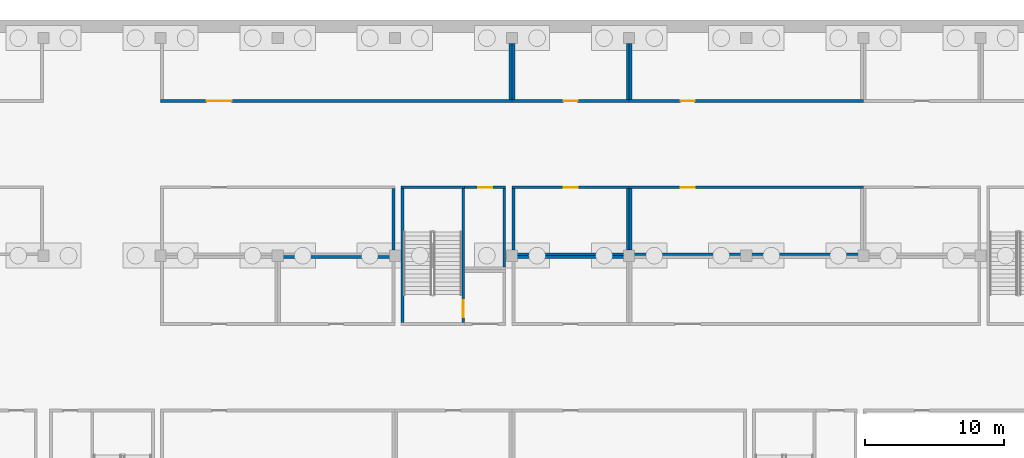
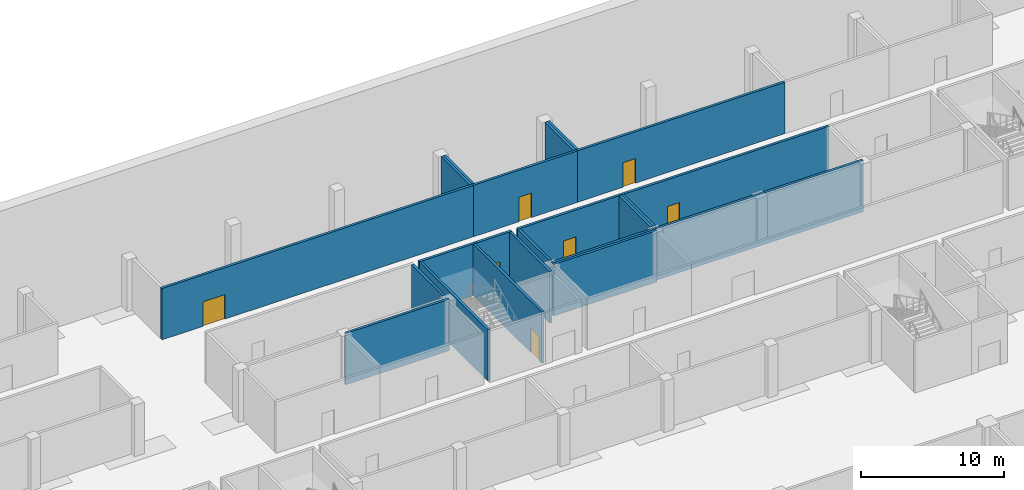
# One storey, part 23 of 46: 22 walls, 7 doors, 7 openings.
"""IFC4 building model written with IfcOpenShell, lengths in metres."""

from ifc_helpers import new_model, si_unit, direction, frame, frame_2d, origin, place, context, subcontext, project, spatial, rectangle, extrude, material, layer, layer_set, type_object, element, fill, save


model = new_model("IFC4")

# Units and contexts
model_context = context("Model", 3, precision=1e-05, world=origin(), true_north=direction((0.0, 1.0)))
body_context = subcontext(model_context, "Body", "Model", "MODEL_VIEW")
ifc_project = project(units=[si_unit("LENGTHUNIT", "METRE"), si_unit("AREAUNIT", "SQUARE_METRE"), si_unit("VOLUMEUNIT", "CUBIC_METRE"), si_unit("PLANEANGLEUNIT", "RADIAN"), si_unit("MASSUNIT", "GRAM", prefix="KILO")], contexts=[model_context])

# Site, building, storey
site_placement = place(None, origin())
site = spatial("IfcSite", under=ifc_project, at=site_placement, CompositionType="ELEMENT")
building_placement = place(site_placement, origin())
building = spatial("IfcBuilding", under=site, at=building_placement, Name="Tamra Quay Hotel Tower", CompositionType="ELEMENT")
storey_placement = place(building_placement, frame((0.0, 0.0, -12.0)))
storey = spatial("IfcBuildingStorey", under=building, at=storey_placement, Name="B3", CompositionType="ELEMENT", Elevation=-12.0)

# Walls
ifc_material_1 = material(Name="Blockwork", Category="masonry")
ifc_layer_1 = layer(ifc_material_1, 0.199951171875)
ifc_layer_set_1 = layer_set([ifc_layer_1], Name="Car park room wall 200")
wall_type_1 = type_object("IfcWallType", Name="Car park room wall 200", PredefinedType="PARTITIONING", material=ifc_layer_set_1)
wall_1_placement = place(storey_placement, frame((-30.300048828125, 63.89990234375, 0.0), z_axis=(0.0, 0.0, 1.0), x_axis=(1.0, 0.0, 0.0)))
element("IfcWall", 1, at=wall_1_placement, inside=storey, type_object=wall_type_1, Name="PW", PredefinedType="PARTITIONING", context=body_context, shape_type="SweptSolid", body=[
    extrude(rectangle(XDim=8.400146484375, YDim=0.199951171875, at=frame_2d((4.2001953125, 0.0))), origin(), (0.0, 0.0, 1.0), 4.39990234375),
])
wall_2_placement = place(storey_placement, frame((-13.5, 63.89990234375, 0.0), z_axis=(0.0, 0.0, 1.0), x_axis=(1.0, 0.0, 0.0)))
element("IfcWall", 2, at=wall_2_placement, inside=storey, type_object=wall_type_1, Name="PW", PredefinedType="PARTITIONING", context=body_context, shape_type="SweptSolid", body=[
    extrude(rectangle(XDim=8.39990234375, YDim=0.199951171875, at=frame_2d((4.199951171875, 0.0))), origin(), (0.0, 0.0, 1.0), 4.39990234375),
])
wall_3_placement = place(storey_placement, frame((-22.0, 64.39990234375, 0.0), z_axis=(0.0, 0.0, 1.0), x_axis=(0.0, 1.0, 0.0)))
element("IfcWall", 3, at=wall_3_placement, inside=storey, type_object=wall_type_1, Name="PW", PredefinedType="PARTITIONING", context=body_context, shape_type="SweptSolid", body=[
    extrude(rectangle(XDim=4.400146484375, YDim=0.199951171875, at=frame_2d((2.2001953125, 0.0))), origin(), (0.0, 0.0, 1.0), 4.39990234375),
])
wall_4_placement = place(storey_placement, frame((-13.5, 64.10009765625, 0.0), z_axis=(0.0, 0.0, 1.0), x_axis=(1.0, 0.0, 0.0)))
element("IfcWall", 4, at=wall_4_placement, inside=storey, type_object=wall_type_1, Name="PW", PredefinedType="PARTITIONING", context=body_context, shape_type="SweptSolid", body=[
    extrude(rectangle(XDim=8.39990234375, YDim=0.199951171875, at=frame_2d((4.199951171875, 0.0))), origin(), (0.0, 0.0, 1.0), 4.39990234375),
])

# Wall, opening, door
wall_5_placement = place(storey_placement, frame((-13.5, 68.89990234375, 0.0), z_axis=(0.0, 0.0, 1.0), x_axis=(1.0, 0.0, 0.0)))
wall_5 = element("IfcWall", 5, at=wall_5_placement, inside=storey, type_object=wall_type_1, Name="PW", PredefinedType="PARTITIONING", context=body_context, shape_type="SweptSolid", body=[
    extrude(rectangle(XDim=8.39990234375, YDim=0.199951171875, at=frame_2d((4.199951171875, 0.0))), origin(), (0.0, 0.0, 1.0), 4.39990234375),
])
opening_1_placement = place(wall_5_placement, frame((3.699951171875, 0.0, 0.0)))
opening_1 = element("IfcOpeningElement", 6, at=opening_1_placement, cuts=wall_5, Name="Opening PD1", PredefinedType="OPENING", context=body_context, shape_type="SweptSolid", body=[
    extrude(rectangle(XDim=1.0, YDim=2.10009765625, at=frame_2d((0.5, 1.050048828125))), frame((0.0, 0.10986328125, 0.0), z_axis=(0.0, -1.0, 0.0), x_axis=(1.0, 0.0, 0.0)), (0.0, 0.0, 1.0), 0.219970703125),
])
ifc_material_2 = material(Name="Car park door 1000 x 2100")
door_type_1 = type_object("IfcDoorType", Name="Car park door 1000 x 2100", OperationType="NOTDEFINED", PredefinedType="DOOR", material=ifc_material_2)
door_1_placement = place(opening_1_placement, origin())
door_1 = element("IfcDoor", 7, at=door_1_placement, inside=storey, type_object=door_type_1, Name="PD1", OperationType="SINGLE_SWING_LEFT", OverallHeight=2.10009765625, OverallWidth=1.0, PredefinedType="DOOR", context=body_context, shape_type="SweptSolid", body=[
    extrude(rectangle(XDim=1.0, YDim=2.10009765625, at=frame_2d((0.5, 1.050048828125))), frame((0.0, 0.02490234375, 0.0), z_axis=(0.0, -1.0, 0.0), x_axis=(1.0, 0.0, 0.0)), (0.0, 0.0, 1.0), 0.050048828125),
])
fill(opening_1, door_1)

# Walls
for number, where, z_axis, x_axis, name in (
    (8, (-13.39990234375, 64.39990234375, 0.0), (0.0, 0.0, 1.0), (0.0, 1.0, 0.0), "PW"),
    (9, (-5.199951171875, 64.39990234375, 0.0), (0.0, 0.0, 1.0), (0.0, 1.0, 0.0), "PW"),
):
    element("IfcWall", number, at=place(storey_placement, frame(where, z_axis=z_axis, x_axis=x_axis)), inside=storey, type_object=wall_type_1, Name=name, PredefinedType="PARTITIONING", context=body_context, shape_type="SweptSolid", body=[
        extrude(rectangle(XDim=4.400146484375, YDim=0.199951171875, at=frame_2d((2.2001953125, 0.0))), origin(), (0.0, 0.0, 1.0), 4.39990234375),
    ])
wall_6_placement = place(storey_placement, frame((-5.10009765625, 64.10009765625, 0.0), z_axis=(0.0, 0.0, 1.0), x_axis=(1.0, 0.0, 0.0)))
element("IfcWall", 10, at=wall_6_placement, inside=storey, type_object=wall_type_1, Name="PW", PredefinedType="PARTITIONING", context=body_context, shape_type="SweptSolid", body=[
    extrude(rectangle(XDim=16.800048828125, YDim=0.199951171875, at=frame_2d((8.39990234375, 0.0))), origin(), (0.0, 0.0, 1.0), 4.39990234375),
])

# Wall, opening, door
wall_7_placement = place(storey_placement, frame((-5.10009765625, 68.89990234375, 0.0), z_axis=(0.0, 0.0, 1.0), x_axis=(1.0, 0.0, 0.0)))
wall_7 = element("IfcWall", 11, at=wall_7_placement, inside=storey, type_object=wall_type_1, Name="PW", PredefinedType="PARTITIONING", context=body_context, shape_type="SweptSolid", body=[
    extrude(rectangle(XDim=16.800048828125, YDim=0.199951171875, at=frame_2d((8.39990234375, 0.0))), origin(), (0.0, 0.0, 1.0), 4.39990234375),
])
opening_2_placement = place(wall_7_placement, frame((3.699951171875, 0.0, 0.0)))
opening_2 = element("IfcOpeningElement", 12, at=opening_2_placement, cuts=wall_7, Name="Opening PD1", PredefinedType="OPENING", context=body_context, shape_type="SweptSolid", body=[
    extrude(rectangle(XDim=1.0, YDim=2.10009765625, at=frame_2d((0.5, 1.050048828125))), frame((0.0, 0.10986328125, 0.0), z_axis=(0.0, -1.0, 0.0), x_axis=(1.0, 0.0, 0.0)), (0.0, 0.0, 1.0), 0.219970703125),
])
door_2_placement = place(opening_2_placement, origin())
door_2 = element("IfcDoor", 13, at=door_2_placement, inside=storey, type_object=door_type_1, Name="PD1", OperationType="SINGLE_SWING_LEFT", OverallHeight=2.10009765625, OverallWidth=1.0, PredefinedType="DOOR", context=body_context, shape_type="SweptSolid", body=[
    extrude(rectangle(XDim=1.0, YDim=2.10009765625, at=frame_2d((0.5, 1.050048828125))), frame((0.0, 0.02490234375, 0.0), z_axis=(0.0, -1.0, 0.0), x_axis=(1.0, 0.0, 0.0)), (0.0, 0.0, 1.0), 0.050048828125),
])
fill(opening_2, door_2)

# Wall
wall_8_placement = place(storey_placement, frame((-5.0, 64.39990234375, 0.0), z_axis=(0.0, 0.0, 1.0), x_axis=(0.0, 1.0, 0.0)))
element("IfcWall", 14, at=wall_8_placement, inside=storey, type_object=wall_type_1, Name="PW", PredefinedType="PARTITIONING", context=body_context, shape_type="SweptSolid", body=[
    extrude(rectangle(XDim=4.400146484375, YDim=0.199951171875, at=frame_2d((2.2001953125, 0.0))), origin(), (0.0, 0.0, 1.0), 4.39990234375),
])

# Wall, opening, door
wall_9_placement = place(storey_placement, frame((-38.699951171875, 75.10009765625, 0.0), z_axis=(0.0, 0.0, 1.0), x_axis=(1.0, 0.0, 0.0)))
wall_9 = element("IfcWall", 15, at=wall_9_placement, inside=storey, type_object=wall_type_1, Name="PW", PredefinedType="PARTITIONING", context=body_context, shape_type="SweptSolid", body=[
    extrude(rectangle(XDim=25.199951171875, YDim=0.199951171875, at=frame_2d((12.60009765625, 0.0))), origin(), (0.0, 0.0, 1.0), 4.39990234375),
])
opening_3_placement = place(wall_9_placement, frame((3.300048828125, 0.0, 0.0)))
opening_3 = element("IfcOpeningElement", 16, at=opening_3_placement, cuts=wall_9, Name="Opening PD2", PredefinedType="OPENING", context=body_context, shape_type="SweptSolid", body=[
    extrude(rectangle(XDim=1.800048828125, YDim=2.10009765625, at=frame_2d((0.89990234375, 1.050048828125))), frame((0.0, 0.10986328125, 0.0), z_axis=(0.0, -1.0, 0.0), x_axis=(1.0, 0.0, 0.0)), (0.0, 0.0, 1.0), 0.219970703125),
])
ifc_material_3 = material(Name="Plant door 1800 x 2100")
door_type_2 = type_object("IfcDoorType", Name="Plant door 1800 x 2100", OperationType="DOUBLE_DOOR_SINGLE_SWING", PredefinedType="DOOR", material=ifc_material_3)
door_3_placement = place(opening_3_placement, origin())
door_3 = element("IfcDoor", 17, at=door_3_placement, inside=storey, type_object=door_type_2, Name="PD2", OperationType="DOUBLE_DOOR_SINGLE_SWING", OverallHeight=2.10009765625, OverallWidth=1.800048828125, PredefinedType="DOOR", context=body_context, shape_type="SweptSolid", body=[
    extrude(rectangle(XDim=1.800048828125, YDim=2.10009765625, at=frame_2d((0.89990234375, 1.050048828125))), frame((0.0, 0.02490234375, 0.0), z_axis=(0.0, -1.0, 0.0), x_axis=(1.0, 0.0, 0.0)), (0.0, 0.0, 1.0), 0.050048828125),
])
fill(opening_3, door_3)

# Wall
wall_10_placement = place(storey_placement, frame((-13.60009765625, 75.199951171875, 0.0), z_axis=(0.0, 0.0, 1.0), x_axis=(0.0, 1.0, 0.0)))
element("IfcWall", 18, at=wall_10_placement, inside=storey, type_object=wall_type_1, Name="PW", PredefinedType="PARTITIONING", context=body_context, shape_type="SweptSolid", body=[
    extrude(rectangle(XDim=4.0, YDim=0.199951171875, at=frame_2d((2.0, 0.0))), origin(), (0.0, 0.0, 1.0), 4.39990234375),
])

# Wall, opening, door
wall_11_placement = place(storey_placement, frame((-13.5, 75.10009765625, 0.0), z_axis=(0.0, 0.0, 1.0), x_axis=(1.0, 0.0, 0.0)))
wall_11 = element("IfcWall", 19, at=wall_11_placement, inside=storey, type_object=wall_type_1, Name="PW", PredefinedType="PARTITIONING", context=body_context, shape_type="SweptSolid", body=[
    extrude(rectangle(XDim=8.39990234375, YDim=0.199951171875, at=frame_2d((4.199951171875, 0.0))), origin(), (0.0, 0.0, 1.0), 4.39990234375),
])
opening_4_placement = place(wall_11_placement, frame((3.699951171875, 0.0, 0.0)))
opening_4 = element("IfcOpeningElement", 20, at=opening_4_placement, cuts=wall_11, Name="Opening PD1", PredefinedType="OPENING", context=body_context, shape_type="SweptSolid", body=[
    extrude(rectangle(XDim=1.0, YDim=2.10009765625, at=frame_2d((0.5, 1.050048828125))), frame((0.0, 0.10986328125, 0.0), z_axis=(0.0, -1.0, 0.0), x_axis=(1.0, 0.0, 0.0)), (0.0, 0.0, 1.0), 0.219970703125),
])
door_4_placement = place(opening_4_placement, origin())
door_4 = element("IfcDoor", 21, at=door_4_placement, inside=storey, type_object=door_type_1, Name="PD1", OperationType="SINGLE_SWING_LEFT", OverallHeight=2.10009765625, OverallWidth=1.0, PredefinedType="DOOR", context=body_context, shape_type="SweptSolid", body=[
    extrude(rectangle(XDim=1.0, YDim=2.10009765625, at=frame_2d((0.5, 1.050048828125))), frame((0.0, 0.02490234375, 0.0), z_axis=(0.0, -1.0, 0.0), x_axis=(1.0, 0.0, 0.0)), (0.0, 0.0, 1.0), 0.050048828125),
])
fill(opening_4, door_4)

# Walls
for number, where, z_axis, x_axis, name in (
    (22, (-13.39990234375, 75.199951171875, 0.0), (0.0, 0.0, 1.0), (0.0, 1.0, 0.0), "PW"),
    (23, (-5.199951171875, 75.199951171875, 0.0), (0.0, 0.0, 1.0), (0.0, 1.0, 0.0), "PW"),
):
    element("IfcWall", number, at=place(storey_placement, frame(where, z_axis=z_axis, x_axis=x_axis)), inside=storey, type_object=wall_type_1, Name=name, PredefinedType="PARTITIONING", context=body_context, shape_type="SweptSolid", body=[
        extrude(rectangle(XDim=4.0, YDim=0.199951171875, at=frame_2d((2.0, 0.0))), origin(), (0.0, 0.0, 1.0), 4.39990234375),
    ])

# Wall, opening, door
wall_12_placement = place(storey_placement, frame((-5.10009765625, 75.10009765625, 0.0), z_axis=(0.0, 0.0, 1.0), x_axis=(1.0, 0.0, 0.0)))
wall_12 = element("IfcWall", 24, at=wall_12_placement, inside=storey, type_object=wall_type_1, Name="PW", PredefinedType="PARTITIONING", context=body_context, shape_type="SweptSolid", body=[
    extrude(rectangle(XDim=16.800048828125, YDim=0.199951171875, at=frame_2d((8.39990234375, 0.0))), origin(), (0.0, 0.0, 1.0), 4.39990234375),
])
opening_5_placement = place(wall_12_placement, frame((3.699951171875, 0.0, 0.0)))
opening_5 = element("IfcOpeningElement", 25, at=opening_5_placement, cuts=wall_12, Name="Opening PD1", PredefinedType="OPENING", context=body_context, shape_type="SweptSolid", body=[
    extrude(rectangle(XDim=1.0, YDim=2.10009765625, at=frame_2d((0.5, 1.050048828125))), frame((0.0, 0.10986328125, 0.0), z_axis=(0.0, -1.0, 0.0), x_axis=(1.0, 0.0, 0.0)), (0.0, 0.0, 1.0), 0.219970703125),
])
door_5_placement = place(opening_5_placement, origin())
door_5 = element("IfcDoor", 26, at=door_5_placement, inside=storey, type_object=door_type_1, Name="PD1", OperationType="SINGLE_SWING_LEFT", OverallHeight=2.10009765625, OverallWidth=1.0, PredefinedType="DOOR", context=body_context, shape_type="SweptSolid", body=[
    extrude(rectangle(XDim=1.0, YDim=2.10009765625, at=frame_2d((0.5, 1.050048828125))), frame((0.0, 0.02490234375, 0.0), z_axis=(0.0, -1.0, 0.0), x_axis=(1.0, 0.0, 0.0)), (0.0, 0.0, 1.0), 0.050048828125),
])
fill(opening_5, door_5)

# Wall
wall_13_placement = place(storey_placement, frame((-5.0, 75.199951171875, 0.0), z_axis=(0.0, 0.0, 1.0), x_axis=(0.0, 1.0, 0.0)))
element("IfcWall", 27, at=wall_13_placement, inside=storey, type_object=wall_type_1, Name="PW", PredefinedType="PARTITIONING", context=body_context, shape_type="SweptSolid", body=[
    extrude(rectangle(XDim=4.0, YDim=0.199951171875, at=frame_2d((2.0, 0.0))), origin(), (0.0, 0.0, 1.0), 4.39990234375),
])

# Wall, opening, door
wall_14_placement = place(storey_placement, frame((-16.89990234375, 68.89990234375, 0.0), z_axis=(0.0, 0.0, 1.0), x_axis=(1.0, 0.0, 0.0)))
wall_14 = element("IfcWall", 28, at=wall_14_placement, inside=storey, type_object=wall_type_1, Name="PW", PredefinedType="PARTITIONING", context=body_context, shape_type="SweptSolid", body=[
    extrude(rectangle(XDim=2.949951171875, YDim=0.199951171875, at=frame_2d((1.47509765625, 0.0))), origin(), (0.0, 0.0, 1.0), 4.39990234375),
])
opening_6_placement = place(wall_14_placement, frame((0.97509765625, 0.0, 0.0)))
opening_6 = element("IfcOpeningElement", 29, at=opening_6_placement, cuts=wall_14, Name="Opening PD1", PredefinedType="OPENING", context=body_context, shape_type="SweptSolid", body=[
    extrude(rectangle(XDim=1.0, YDim=2.10009765625, at=frame_2d((0.5, 1.050048828125))), frame((0.0, 0.10986328125, 0.0), z_axis=(0.0, -1.0, 0.0), x_axis=(1.0, 0.0, 0.0)), (0.0, 0.0, 1.0), 0.219970703125),
])
door_6_placement = place(opening_6_placement, origin())
door_6 = element("IfcDoor", 30, at=door_6_placement, inside=storey, type_object=door_type_1, Name="PD1", OperationType="SINGLE_SWING_LEFT", OverallHeight=2.10009765625, OverallWidth=1.0, PredefinedType="DOOR", context=body_context, shape_type="SweptSolid", body=[
    extrude(rectangle(XDim=1.0, YDim=2.10009765625, at=frame_2d((0.5, 1.050048828125))), frame((0.0, 0.02490234375, 0.0), z_axis=(0.0, -1.0, 0.0), x_axis=(1.0, 0.0, 0.0)), (0.0, 0.0, 1.0), 0.050048828125),
])
fill(opening_6, door_6)

# Walls
wall_15_placement = place(storey_placement, frame((-14.050048828125, 63.199951171875, 0.0), z_axis=(0.0, 0.0, 1.0), x_axis=(0.0, 1.0, 0.0)))
element("IfcWall", 31, at=wall_15_placement, inside=storey, type_object=wall_type_1, Name="PW", PredefinedType="PARTITIONING", context=body_context, shape_type="SweptSolid", body=[
    extrude(rectangle(XDim=5.60009765625, YDim=0.199951171875, at=frame_2d((2.800048828125, 0.0))), origin(), (0.0, 0.0, 1.0), 4.39990234375),
])
ifc_material_4 = material(Name="Concrete M70", Category="concrete")
ifc_layer_2 = layer(ifc_material_4, 0.199951171875)
ifc_layer_set_2 = layer_set([ifc_layer_2], Name="Concrete M70 stair enclosure wall 200")
wall_type_2 = type_object("IfcWallType", Name="Concrete M70 stair enclosure wall 200", PredefinedType="SOLIDWALL", material=ifc_layer_set_2)
wall_16_placement = place(storey_placement, frame((-21.35009765625, 59.199951171875, 0.0), z_axis=(0.0, 0.0, 1.0), x_axis=(0.0, 1.0, 0.0)))
element("IfcWall", 32, at=wall_16_placement, inside=storey, type_object=wall_type_2, Name="SEW", PredefinedType="SOLIDWALL", context=body_context, shape_type="SweptSolid", body=[
    extrude(rectangle(XDim=9.60009765625, YDim=0.199951171875, at=frame_2d((4.800048828125, 0.0))), origin(), (0.0, 0.0, 1.0), 4.39990234375),
])

# Wall, opening, door
wall_17_placement = place(storey_placement, frame((-17.0, 59.199951171875, 0.0), z_axis=(0.0, 0.0, 1.0), x_axis=(0.0, 1.0, 0.0)))
wall_17 = element("IfcWall", 33, at=wall_17_placement, inside=storey, type_object=wall_type_2, Name="SEW", PredefinedType="SOLIDWALL", context=body_context, shape_type="SweptSolid", body=[
    extrude(rectangle(XDim=9.60009765625, YDim=0.199951171875, at=frame_2d((4.800048828125, 0.0))), origin(), (0.0, 0.0, 1.0), 4.39990234375),
])
opening_7_placement = place(wall_17_placement, frame((0.39990234375, 0.0, 0.0)))
opening_7 = element("IfcOpeningElement", 34, at=opening_7_placement, cuts=wall_17, Name="Opening SD1", PredefinedType="OPENING", context=body_context, shape_type="SweptSolid", body=[
    extrude(rectangle(XDim=1.199951171875, YDim=2.10009765625, at=frame_2d((0.60009765625, 1.050048828125))), frame((0.0, 0.10986328125, 0.0), z_axis=(0.0, -1.0, 0.0), x_axis=(1.0, 0.0, 0.0)), (0.0, 0.0, 1.0), 0.219970703125),
])
ifc_material_5 = material(Name="Stair door 1200 x 2100")
door_type_3 = type_object("IfcDoorType", Name="Stair door 1200 x 2100", OperationType="NOTDEFINED", PredefinedType="DOOR", material=ifc_material_5)
door_7_placement = place(opening_7_placement, origin())
door_7 = element("IfcDoor", 35, at=door_7_placement, inside=storey, type_object=door_type_3, Name="SD1", OperationType="SINGLE_SWING_LEFT", OverallHeight=2.10009765625, OverallWidth=1.199951171875, PredefinedType="DOOR", context=body_context, shape_type="SweptSolid", body=[
    extrude(rectangle(XDim=1.199951171875, YDim=2.10009765625, at=frame_2d((0.60009765625, 1.050048828125))), frame((0.0, 0.02490234375, 0.0), z_axis=(0.0, -1.0, 0.0), x_axis=(1.0, 0.0, 0.0)), (0.0, 0.0, 1.0), 0.050048828125),
])
fill(opening_7, door_7)

# Wall
wall_18_placement = place(storey_placement, frame((-21.449951171875, 68.89990234375, 0.0), z_axis=(0.0, 0.0, 1.0), x_axis=(1.0, 0.0, 0.0)))
element("IfcWall", 36, at=wall_18_placement, inside=storey, type_object=wall_type_2, Name="SEW", PredefinedType="SOLIDWALL", context=body_context, shape_type="SweptSolid", body=[
    extrude(rectangle(XDim=4.550048828125, YDim=0.199951171875, at=frame_2d((2.27490234375, 0.0))), origin(), (0.0, 0.0, 1.0), 4.39990234375),
])

save(model, "model.ifc")
